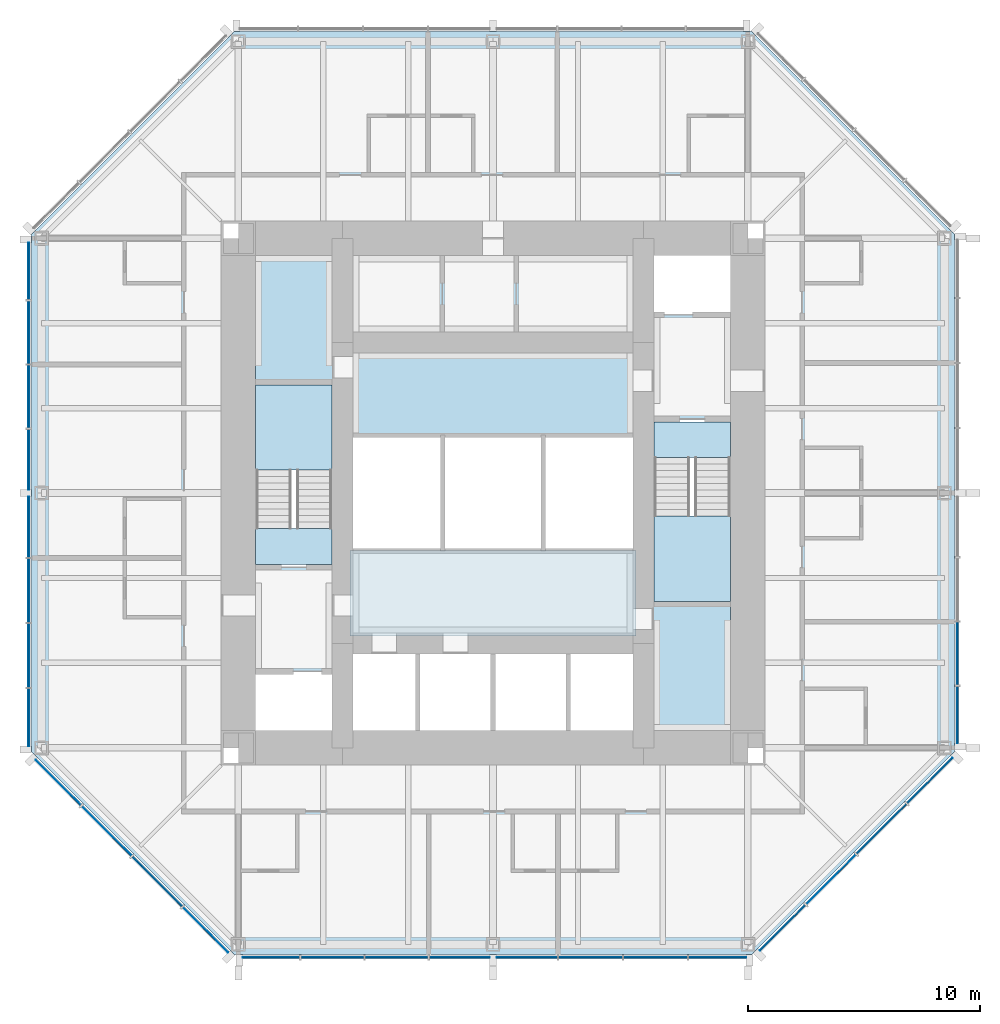
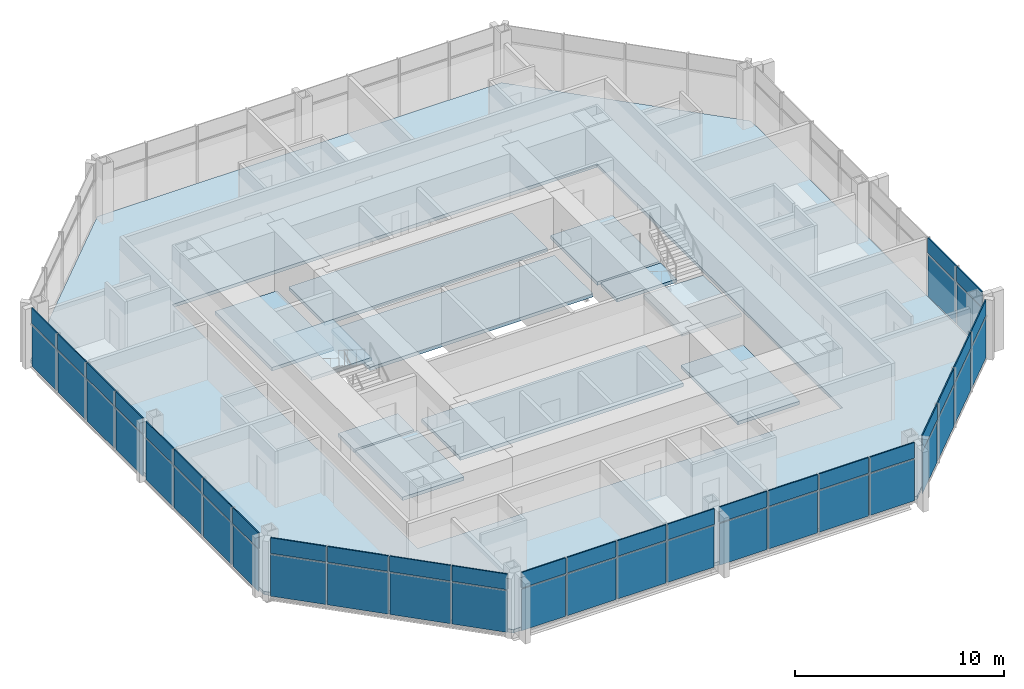
# One storey, part 6 of 11: 52 plates, 12 slabs, 7 elements without a shape of their own.
"""IFC4 building model written with IfcOpenShell, lengths in metres."""

from ifc_helpers import new_model, si_unit, direction, frame, origin, origin_2d, place, context, subcontext, project, spatial, polyline, rectangle, outline, extrude, material, layer, layer_set, type_object, element, aggregate, save


model = new_model("IFC4")

# Units and contexts
model_context = context("Model", 3, precision=1e-05, world=origin(), true_north=direction((0.0, 1.0)))
body_context = subcontext(model_context, "Body", "Model", "MODEL_VIEW")
ifc_project = project(units=[si_unit("LENGTHUNIT", "METRE"), si_unit("AREAUNIT", "SQUARE_METRE"), si_unit("VOLUMEUNIT", "CUBIC_METRE"), si_unit("PLANEANGLEUNIT", "RADIAN"), si_unit("MASSUNIT", "GRAM", prefix="KILO")], contexts=[model_context])

# Site, building, storey
site_placement = place(None, origin())
site = spatial("IfcSite", under=ifc_project, at=site_placement, CompositionType="ELEMENT")
building_placement = place(site_placement, origin())
building = spatial("IfcBuilding", under=site, at=building_placement, Name="Trevanion Tower", CompositionType="ELEMENT")
storey_placement = place(building_placement, frame((0.0, 0.0, 215.199951171875)))
storey = spatial("IfcBuildingStorey", under=building, at=storey_placement, Name="L51", CompositionType="ELEMENT", Elevation=215.199951171875)

# Curtain wall, plates
ifc_material_1 = material(Name="Aluminium and glass", Category="aluminium")
curtain_wall_type = type_object("IfcCurtainWallType", Name="CW3 curtain wall", PredefinedType="USERDEFINED", material=ifc_material_1)
curtain_wall_1_placement = place(storey_placement, origin())
curtain_wall_1 = element("IfcCurtainWall", 1, at=curtain_wall_1_placement, inside=storey, type_object=curtain_wall_type, Name="CW3 L51 0", ObjectType="UNITISED CURTAIN WALL", PredefinedType="USERDEFINED")
ifc_material_2 = material(Name="Aluminium spandrel panel", Category="aluminium")
ifc_layer_1 = layer(ifc_material_2, 0.06005859375)
ifc_layer_set_1 = layer_set([ifc_layer_1], Name="CW3 spandrel panel")
plate_type_1 = type_object("IfcPlateType", Name="CW3 spandrel panel", PredefinedType="CURTAIN_PANEL", material=ifc_layer_set_1)
plate_1_placement = place(storey_placement, frame((20.050048828125, -9.579345703125, 2.3974609375), z_axis=(0.0, 0.0, 1.0), x_axis=(0.0, 1.0, 0.0)))
plate_1 = element("IfcPlate", 2, at=plate_1_placement, type_object=plate_type_1, Name="CW3 panel 1.2", PredefinedType="CURTAIN_PANEL", context=body_context, shape_type="SweptSolid", body=[
    extrude(rectangle(XDim=2.43701171875, YDim=0.06005859375, at=origin_2d()), origin(), (0.0, 0.0, 1.0), 0.91259765625),
])
plate_2_placement = place(storey_placement, frame((20.050048828125, -6.93603515625, 2.3974609375), z_axis=(0.0, 0.0, 1.0), x_axis=(0.0, 1.0, 0.0)))
plate_2 = element("IfcPlate", 3, at=plate_2_placement, type_object=plate_type_1, Name="CW3 panel 2.2", PredefinedType="CURTAIN_PANEL", context=body_context, shape_type="SweptSolid", body=[
    extrude(rectangle(XDim=2.699462890625, YDim=0.06005859375, at=origin_2d()), origin(), (0.0, 0.0, 1.0), 0.91259765625),
])

curtain_wall_2_placement = place(storey_placement, origin())
curtain_wall_2 = element("IfcCurtainWall", 4, at=curtain_wall_2_placement, inside=storey, type_object=curtain_wall_type, Name="CW3 L51 4", ObjectType="UNITISED CURTAIN WALL", PredefinedType="USERDEFINED")
plate_3_placement = place(storey_placement, frame((-20.050048828125, 9.579345703125, 2.3974609375), z_axis=(0.0, 0.0, 1.0), x_axis=(0.0, -1.0, 0.0)))
plate_3 = element("IfcPlate", 5, at=plate_3_placement, type_object=plate_type_1, Name="CW3 panel 1.2", PredefinedType="CURTAIN_PANEL", context=body_context, shape_type="SweptSolid", body=[
    extrude(rectangle(XDim=2.43701171875, YDim=0.06005859375, at=origin_2d()), origin(), (0.0, 0.0, 1.0), 0.91259765625),
])
plate_4_placement = place(storey_placement, frame((-20.050048828125, 6.93603515625, 2.3974609375), z_axis=(0.0, 0.0, 1.0), x_axis=(0.0, -1.0, 0.0)))
plate_4 = element("IfcPlate", 6, at=plate_4_placement, type_object=plate_type_1, Name="CW3 panel 2.2", PredefinedType="CURTAIN_PANEL", context=body_context, shape_type="SweptSolid", body=[
    extrude(rectangle(XDim=2.699462890625, YDim=0.06005859375, at=origin_2d()), origin(), (0.0, 0.0, 1.0), 0.91259765625),
])
plate_5_placement = place(storey_placement, frame((-20.050048828125, 4.16162109375, 2.3974609375), z_axis=(0.0, 0.0, 1.0), x_axis=(0.0, -1.0, 0.0)))
plate_5 = element("IfcPlate", 7, at=plate_5_placement, type_object=plate_type_1, Name="CW3 panel 3.2", PredefinedType="CURTAIN_PANEL", context=body_context, shape_type="SweptSolid", body=[
    extrude(rectangle(XDim=2.699462890625, YDim=0.06005859375, at=origin_2d()), origin(), (0.0, 0.0, 1.0), 0.91259765625),
])
plate_6_placement = place(storey_placement, frame((-20.050048828125, 1.443603515625, 2.3974609375), z_axis=(0.0, 0.0, 1.0), x_axis=(0.0, -1.0, 0.0)))
plate_6 = element("IfcPlate", 8, at=plate_6_placement, type_object=plate_type_1, Name="CW3 panel 4.2", PredefinedType="CURTAIN_PANEL", context=body_context, shape_type="SweptSolid", body=[
    extrude(rectangle(XDim=2.5869140625, YDim=0.06005859375, at=origin_2d()), origin(), (0.0, 0.0, 1.0), 0.91259765625),
])
plate_7_placement = place(storey_placement, frame((-20.050048828125, -1.459716796875, 2.3974609375), z_axis=(0.0, 0.0, 1.0), x_axis=(0.0, -1.0, 0.0)))
plate_7 = element("IfcPlate", 9, at=plate_7_placement, type_object=plate_type_1, Name="CW3 panel 5.2", PredefinedType="CURTAIN_PANEL", context=body_context, shape_type="SweptSolid", body=[
    extrude(rectangle(XDim=2.619384765625, YDim=0.06005859375, at=origin_2d()), origin(), (0.0, 0.0, 1.0), 0.91259765625),
])
plate_8_placement = place(storey_placement, frame((-20.050048828125, -4.21044921875, 2.3974609375), z_axis=(0.0, 0.0, 1.0), x_axis=(0.0, -1.0, 0.0)))
plate_8 = element("IfcPlate", 10, at=plate_8_placement, type_object=plate_type_1, Name="CW3 panel 6.2", PredefinedType="CURTAIN_PANEL", context=body_context, shape_type="SweptSolid", body=[
    extrude(rectangle(XDim=2.73193359375, YDim=0.06005859375, at=origin_2d()), origin(), (0.0, 0.0, 1.0), 0.91259765625),
])
plate_9_placement = place(storey_placement, frame((-20.050048828125, -7.017333984375, 2.3974609375), z_axis=(0.0, 0.0, 1.0), x_axis=(0.0, -1.0, 0.0)))
plate_9 = element("IfcPlate", 11, at=plate_9_placement, type_object=plate_type_1, Name="CW3 panel 7.2", PredefinedType="CURTAIN_PANEL", context=body_context, shape_type="SweptSolid", body=[
    extrude(rectangle(XDim=2.73193359375, YDim=0.06005859375, at=origin_2d()), origin(), (0.0, 0.0, 1.0), 0.91259765625),
])
plate_10_placement = place(storey_placement, frame((-20.050048828125, -9.693115234375, 2.3974609375), z_axis=(0.0, 0.0, 1.0), x_axis=(0.0, -1.0, 0.0)))
plate_10 = element("IfcPlate", 12, at=plate_10_placement, type_object=plate_type_1, Name="CW3 panel 8.2", PredefinedType="CURTAIN_PANEL", context=body_context, shape_type="SweptSolid", body=[
    extrude(rectangle(XDim=2.469482421875, YDim=0.06005859375, at=origin_2d()), origin(), (0.0, 0.0, 1.0), 0.91259765625),
])

curtain_wall_3_placement = place(storey_placement, origin())
curtain_wall_3 = element("IfcCurtainWall", 13, at=curtain_wall_3_placement, inside=storey, type_object=curtain_wall_type, Name="CW3 L51 5", ObjectType="UNITISED CURTAIN WALL", PredefinedType="USERDEFINED")
plate_11_placement = place(storey_placement, frame((-18.77392578125, -12.50390625, 2.3974609375), z_axis=(0.0, 0.0, 1.0), x_axis=(0.707106781187, -0.707106781187, 0.0)))
plate_11 = element("IfcPlate", 14, at=plate_11_placement, type_object=plate_type_1, Name="CW3 panel 1.2", PredefinedType="CURTAIN_PANEL", context=body_context, shape_type="SweptSolid", body=[
    extrude(rectangle(XDim=2.7490234375, YDim=0.06005859375, at=origin_2d()), origin(), (0.0, 0.0, 1.0), 0.91259765625),
])
plate_12_placement = place(storey_placement, frame((-16.68408203125, -14.593505859375, 2.3974609375), z_axis=(0.0, 0.0, 1.0), x_axis=(0.707106781187, -0.707106781187, 0.0)))
plate_12 = element("IfcPlate", 15, at=plate_12_placement, type_object=plate_type_1, Name="CW3 panel 2.2", PredefinedType="CURTAIN_PANEL", context=body_context, shape_type="SweptSolid", body=[
    extrude(rectangle(XDim=3.01171875, YDim=0.06005859375, at=origin_2d()), origin(), (0.0, 0.0, 1.0), 0.91259765625),
])
plate_13_placement = place(storey_placement, frame((-14.501708984375, -16.776123046875, 2.3974609375), z_axis=(0.0, 0.0, 1.0), x_axis=(0.707106781187, -0.707106781187, 0.0)))
plate_13 = element("IfcPlate", 16, at=plate_13_placement, type_object=plate_type_1, Name="CW3 panel 3.2", PredefinedType="CURTAIN_PANEL", context=body_context, shape_type="SweptSolid", body=[
    extrude(rectangle(XDim=3.01171875, YDim=0.06005859375, at=origin_2d()), origin(), (0.0, 0.0, 1.0), 0.91259765625),
])
plate_14_placement = place(storey_placement, frame((-12.411865234375, -18.865966796875, 2.3974609375), z_axis=(0.0, 0.0, 1.0), x_axis=(0.707106781187, -0.707106781187, 0.0)))
plate_14 = element("IfcPlate", 17, at=plate_14_placement, type_object=plate_type_1, Name="CW3 panel 4.2", PredefinedType="CURTAIN_PANEL", context=body_context, shape_type="SweptSolid", body=[
    extrude(rectangle(XDim=2.7490234375, YDim=0.06005859375, at=origin_2d()), origin(), (0.0, 0.0, 1.0), 0.91259765625),
])

curtain_wall_4_placement = place(storey_placement, origin())
curtain_wall_4 = element("IfcCurtainWall", 18, at=curtain_wall_4_placement, inside=storey, type_object=curtain_wall_type, Name="CW3 L51 6", ObjectType="UNITISED CURTAIN WALL", PredefinedType="USERDEFINED")
plate_15_placement = place(storey_placement, frame((-9.579345703125, -20.050048828125, 2.3974609375), z_axis=(0.0, 0.0, 1.0), x_axis=(1.0, 0.0, 0.0)))
plate_15 = element("IfcPlate", 19, at=plate_15_placement, type_object=plate_type_1, Name="CW3 panel 1.2", PredefinedType="CURTAIN_PANEL", context=body_context, shape_type="SweptSolid", body=[
    extrude(rectangle(XDim=2.43701171875, YDim=0.06005859375, at=origin_2d()), origin(), (0.0, 0.0, 1.0), 0.91259765625),
])
plate_16_placement = place(storey_placement, frame((-6.93603515625, -20.050048828125, 2.3974609375), z_axis=(0.0, 0.0, 1.0), x_axis=(1.0, 0.0, 0.0)))
plate_16 = element("IfcPlate", 20, at=plate_16_placement, type_object=plate_type_1, Name="CW3 panel 2.2", PredefinedType="CURTAIN_PANEL", context=body_context, shape_type="SweptSolid", body=[
    extrude(rectangle(XDim=2.699462890625, YDim=0.06005859375, at=origin_2d()), origin(), (0.0, 0.0, 1.0), 0.91259765625),
])
plate_17_placement = place(storey_placement, frame((-4.16162109375, -20.050048828125, 2.3974609375), z_axis=(0.0, 0.0, 1.0), x_axis=(1.0, 0.0, 0.0)))
plate_17 = element("IfcPlate", 21, at=plate_17_placement, type_object=plate_type_1, Name="CW3 panel 3.2", PredefinedType="CURTAIN_PANEL", context=body_context, shape_type="SweptSolid", body=[
    extrude(rectangle(XDim=2.699462890625, YDim=0.06005859375, at=origin_2d()), origin(), (0.0, 0.0, 1.0), 0.91259765625),
])
plate_18_placement = place(storey_placement, frame((-1.443603515625, -20.050048828125, 2.3974609375), z_axis=(0.0, 0.0, 1.0), x_axis=(1.0, 0.0, 0.0)))
plate_18 = element("IfcPlate", 22, at=plate_18_placement, type_object=plate_type_1, Name="CW3 panel 4.2", PredefinedType="CURTAIN_PANEL", context=body_context, shape_type="SweptSolid", body=[
    extrude(rectangle(XDim=2.5869140625, YDim=0.06005859375, at=origin_2d()), origin(), (0.0, 0.0, 1.0), 0.91259765625),
])
plate_19_placement = place(storey_placement, frame((1.459716796875, -20.050048828125, 2.3974609375), z_axis=(0.0, 0.0, 1.0), x_axis=(1.0, 0.0, 0.0)))
plate_19 = element("IfcPlate", 23, at=plate_19_placement, type_object=plate_type_1, Name="CW3 panel 5.2", PredefinedType="CURTAIN_PANEL", context=body_context, shape_type="SweptSolid", body=[
    extrude(rectangle(XDim=2.619384765625, YDim=0.06005859375, at=origin_2d()), origin(), (0.0, 0.0, 1.0), 0.91259765625),
])
plate_20_placement = place(storey_placement, frame((4.21044921875, -20.050048828125, 2.3974609375), z_axis=(0.0, 0.0, 1.0), x_axis=(1.0, 0.0, 0.0)))
plate_20 = element("IfcPlate", 24, at=plate_20_placement, type_object=plate_type_1, Name="CW3 panel 6.2", PredefinedType="CURTAIN_PANEL", context=body_context, shape_type="SweptSolid", body=[
    extrude(rectangle(XDim=2.73193359375, YDim=0.06005859375, at=origin_2d()), origin(), (0.0, 0.0, 1.0), 0.91259765625),
])
plate_21_placement = place(storey_placement, frame((7.017333984375, -20.050048828125, 2.3974609375), z_axis=(0.0, 0.0, 1.0), x_axis=(1.0, 0.0, 0.0)))
plate_21 = element("IfcPlate", 25, at=plate_21_placement, type_object=plate_type_1, Name="CW3 panel 7.2", PredefinedType="CURTAIN_PANEL", context=body_context, shape_type="SweptSolid", body=[
    extrude(rectangle(XDim=2.73193359375, YDim=0.06005859375, at=origin_2d()), origin(), (0.0, 0.0, 1.0), 0.91259765625),
])
plate_22_placement = place(storey_placement, frame((9.693115234375, -20.050048828125, 2.3974609375), z_axis=(0.0, 0.0, 1.0), x_axis=(1.0, 0.0, 0.0)))
plate_22 = element("IfcPlate", 26, at=plate_22_placement, type_object=plate_type_1, Name="CW3 panel 8.2", PredefinedType="CURTAIN_PANEL", context=body_context, shape_type="SweptSolid", body=[
    extrude(rectangle(XDim=2.469482421875, YDim=0.06005859375, at=origin_2d()), origin(), (0.0, 0.0, 1.0), 0.91259765625),
])

curtain_wall_5_placement = place(storey_placement, origin())
curtain_wall_5 = element("IfcCurtainWall", 27, at=curtain_wall_5_placement, inside=storey, type_object=curtain_wall_type, Name="CW3 L51 7", ObjectType="UNITISED CURTAIN WALL", PredefinedType="USERDEFINED")
plate_23_placement = place(storey_placement, frame((12.50390625, -18.77392578125, 2.3974609375), z_axis=(0.0, 0.0, 1.0), x_axis=(0.707106781187, 0.707106781187, 0.0)))
plate_23 = element("IfcPlate", 28, at=plate_23_placement, type_object=plate_type_1, Name="CW3 panel 1.2", PredefinedType="CURTAIN_PANEL", context=body_context, shape_type="SweptSolid", body=[
    extrude(rectangle(XDim=2.7490234375, YDim=0.06005859375, at=origin_2d()), origin(), (0.0, 0.0, 1.0), 0.91259765625),
])
plate_24_placement = place(storey_placement, frame((14.593505859375, -16.68408203125, 2.3974609375), z_axis=(0.0, 0.0, 1.0), x_axis=(0.707106781187, 0.707106781187, 0.0)))
plate_24 = element("IfcPlate", 29, at=plate_24_placement, type_object=plate_type_1, Name="CW3 panel 2.2", PredefinedType="CURTAIN_PANEL", context=body_context, shape_type="SweptSolid", body=[
    extrude(rectangle(XDim=3.01171875, YDim=0.06005859375, at=origin_2d()), origin(), (0.0, 0.0, 1.0), 0.91259765625),
])
plate_25_placement = place(storey_placement, frame((16.776123046875, -14.501708984375, 2.3974609375), z_axis=(0.0, 0.0, 1.0), x_axis=(0.707106781187, 0.707106781187, 0.0)))
plate_25 = element("IfcPlate", 30, at=plate_25_placement, type_object=plate_type_1, Name="CW3 panel 3.2", PredefinedType="CURTAIN_PANEL", context=body_context, shape_type="SweptSolid", body=[
    extrude(rectangle(XDim=3.01171875, YDim=0.06005859375, at=origin_2d()), origin(), (0.0, 0.0, 1.0), 0.91259765625),
])
plate_26_placement = place(storey_placement, frame((18.865966796875, -12.411865234375, 2.3974609375), z_axis=(0.0, 0.0, 1.0), x_axis=(0.707106781187, 0.707106781187, 0.0)))
plate_26 = element("IfcPlate", 31, at=plate_26_placement, type_object=plate_type_1, Name="CW3 panel 4.2", PredefinedType="CURTAIN_PANEL", context=body_context, shape_type="SweptSolid", body=[
    extrude(rectangle(XDim=2.7490234375, YDim=0.06005859375, at=origin_2d()), origin(), (0.0, 0.0, 1.0), 0.91259765625),
])

# Plate
ifc_material_3 = material(Name="Insulating glass unit", Category="glass")
ifc_layer_2 = layer(ifc_material_3, 0.028076171875)
ifc_layer_set_2 = layer_set([ifc_layer_2], Name="CW3 vision panel")
plate_type_2 = type_object("IfcPlateType", Name="CW3 vision panel", PredefinedType="CURTAIN_PANEL", material=ifc_layer_set_2)
plate_27_placement = place(storey_placement, frame((20.050048828125, -9.579345703125, -0.114990234375), z_axis=(0.0, 0.0, 1.0), x_axis=(0.0, 1.0, 0.0)))
plate_27 = element("IfcPlate", 32, at=plate_27_placement, type_object=plate_type_2, Name="CW3 panel 1.1", PredefinedType="CURTAIN_PANEL", context=body_context, shape_type="SweptSolid", body=[
    extrude(rectangle(XDim=2.43701171875, YDim=0.028076171875, at=origin_2d()), origin(), (0.0, 0.0, 1.0), 2.4375),
])

plate_28_placement = place(storey_placement, frame((20.050048828125, -6.93603515625, -0.114990234375), z_axis=(0.0, 0.0, 1.0), x_axis=(0.0, 1.0, 0.0)))
plate_28 = element("IfcPlate", 33, at=plate_28_placement, type_object=plate_type_2, Name="CW3 panel 2.1", PredefinedType="CURTAIN_PANEL", context=body_context, shape_type="SweptSolid", body=[
    extrude(rectangle(XDim=2.699462890625, YDim=0.028076171875, at=origin_2d()), origin(), (0.0, 0.0, 1.0), 2.4375),
])

aggregate(curtain_wall_1, [plate_27, plate_1, plate_28, plate_2])

plate_29_placement = place(storey_placement, frame((-20.050048828125, 9.579345703125, -0.114990234375), z_axis=(0.0, 0.0, 1.0), x_axis=(0.0, -1.0, 0.0)))
plate_29 = element("IfcPlate", 34, at=plate_29_placement, type_object=plate_type_2, Name="CW3 panel 1.1", PredefinedType="CURTAIN_PANEL", context=body_context, shape_type="SweptSolid", body=[
    extrude(rectangle(XDim=2.43701171875, YDim=0.028076171875, at=origin_2d()), origin(), (0.0, 0.0, 1.0), 2.4375),
])

plate_30_placement = place(storey_placement, frame((-20.050048828125, 6.93603515625, -0.114990234375), z_axis=(0.0, 0.0, 1.0), x_axis=(0.0, -1.0, 0.0)))
plate_30 = element("IfcPlate", 35, at=plate_30_placement, type_object=plate_type_2, Name="CW3 panel 2.1", PredefinedType="CURTAIN_PANEL", context=body_context, shape_type="SweptSolid", body=[
    extrude(rectangle(XDim=2.699462890625, YDim=0.028076171875, at=origin_2d()), origin(), (0.0, 0.0, 1.0), 2.4375),
])

plate_31_placement = place(storey_placement, frame((-20.050048828125, 4.16162109375, -0.114990234375), z_axis=(0.0, 0.0, 1.0), x_axis=(0.0, -1.0, 0.0)))
plate_31 = element("IfcPlate", 36, at=plate_31_placement, type_object=plate_type_2, Name="CW3 panel 3.1", PredefinedType="CURTAIN_PANEL", context=body_context, shape_type="SweptSolid", body=[
    extrude(rectangle(XDim=2.699462890625, YDim=0.028076171875, at=origin_2d()), origin(), (0.0, 0.0, 1.0), 2.4375),
])

plate_32_placement = place(storey_placement, frame((-20.050048828125, 1.443603515625, -0.114990234375), z_axis=(0.0, 0.0, 1.0), x_axis=(0.0, -1.0, 0.0)))
plate_32 = element("IfcPlate", 37, at=plate_32_placement, type_object=plate_type_2, Name="CW3 panel 4.1", PredefinedType="CURTAIN_PANEL", context=body_context, shape_type="SweptSolid", body=[
    extrude(rectangle(XDim=2.5869140625, YDim=0.028076171875, at=origin_2d()), origin(), (0.0, 0.0, 1.0), 2.4375),
])

plate_33_placement = place(storey_placement, frame((-20.050048828125, -1.459716796875, -0.114990234375), z_axis=(0.0, 0.0, 1.0), x_axis=(0.0, -1.0, 0.0)))
plate_33 = element("IfcPlate", 38, at=plate_33_placement, type_object=plate_type_2, Name="CW3 panel 5.1", PredefinedType="CURTAIN_PANEL", context=body_context, shape_type="SweptSolid", body=[
    extrude(rectangle(XDim=2.619384765625, YDim=0.028076171875, at=origin_2d()), origin(), (0.0, 0.0, 1.0), 2.4375),
])

plate_34_placement = place(storey_placement, frame((-20.050048828125, -4.21044921875, -0.114990234375), z_axis=(0.0, 0.0, 1.0), x_axis=(0.0, -1.0, 0.0)))
plate_34 = element("IfcPlate", 39, at=plate_34_placement, type_object=plate_type_2, Name="CW3 panel 6.1", PredefinedType="CURTAIN_PANEL", context=body_context, shape_type="SweptSolid", body=[
    extrude(rectangle(XDim=2.73193359375, YDim=0.028076171875, at=origin_2d()), origin(), (0.0, 0.0, 1.0), 2.4375),
])

plate_35_placement = place(storey_placement, frame((-20.050048828125, -7.017333984375, -0.114990234375), z_axis=(0.0, 0.0, 1.0), x_axis=(0.0, -1.0, 0.0)))
plate_35 = element("IfcPlate", 40, at=plate_35_placement, type_object=plate_type_2, Name="CW3 panel 7.1", PredefinedType="CURTAIN_PANEL", context=body_context, shape_type="SweptSolid", body=[
    extrude(rectangle(XDim=2.73193359375, YDim=0.028076171875, at=origin_2d()), origin(), (0.0, 0.0, 1.0), 2.4375),
])

plate_36_placement = place(storey_placement, frame((-20.050048828125, -9.693115234375, -0.114990234375), z_axis=(0.0, 0.0, 1.0), x_axis=(0.0, -1.0, 0.0)))
plate_36 = element("IfcPlate", 41, at=plate_36_placement, type_object=plate_type_2, Name="CW3 panel 8.1", PredefinedType="CURTAIN_PANEL", context=body_context, shape_type="SweptSolid", body=[
    extrude(rectangle(XDim=2.469482421875, YDim=0.028076171875, at=origin_2d()), origin(), (0.0, 0.0, 1.0), 2.4375),
])

aggregate(curtain_wall_2, [plate_29, plate_3, plate_30, plate_4, plate_31, plate_5, plate_32, plate_6, plate_33, plate_7, plate_34, plate_8, plate_35, plate_9, plate_36, plate_10])

plate_37_placement = place(storey_placement, frame((-18.77392578125, -12.50390625, -0.114990234375), z_axis=(0.0, 0.0, 1.0), x_axis=(0.707106781187, -0.707106781187, 0.0)))
plate_37 = element("IfcPlate", 42, at=plate_37_placement, type_object=plate_type_2, Name="CW3 panel 1.1", PredefinedType="CURTAIN_PANEL", context=body_context, shape_type="SweptSolid", body=[
    extrude(rectangle(XDim=2.7490234375, YDim=0.028076171875, at=origin_2d()), origin(), (0.0, 0.0, 1.0), 2.4375),
])

plate_38_placement = place(storey_placement, frame((-16.68408203125, -14.593505859375, -0.114990234375), z_axis=(0.0, 0.0, 1.0), x_axis=(0.707106781187, -0.707106781187, 0.0)))
plate_38 = element("IfcPlate", 43, at=plate_38_placement, type_object=plate_type_2, Name="CW3 panel 2.1", PredefinedType="CURTAIN_PANEL", context=body_context, shape_type="SweptSolid", body=[
    extrude(rectangle(XDim=3.01171875, YDim=0.028076171875, at=origin_2d()), origin(), (0.0, 0.0, 1.0), 2.4375),
])

plate_39_placement = place(storey_placement, frame((-14.501708984375, -16.776123046875, -0.114990234375), z_axis=(0.0, 0.0, 1.0), x_axis=(0.707106781187, -0.707106781187, 0.0)))
plate_39 = element("IfcPlate", 44, at=plate_39_placement, type_object=plate_type_2, Name="CW3 panel 3.1", PredefinedType="CURTAIN_PANEL", context=body_context, shape_type="SweptSolid", body=[
    extrude(rectangle(XDim=3.01171875, YDim=0.028076171875, at=origin_2d()), origin(), (0.0, 0.0, 1.0), 2.4375),
])

plate_40_placement = place(storey_placement, frame((-12.411865234375, -18.865966796875, -0.114990234375), z_axis=(0.0, 0.0, 1.0), x_axis=(0.707106781187, -0.707106781187, 0.0)))
plate_40 = element("IfcPlate", 45, at=plate_40_placement, type_object=plate_type_2, Name="CW3 panel 4.1", PredefinedType="CURTAIN_PANEL", context=body_context, shape_type="SweptSolid", body=[
    extrude(rectangle(XDim=2.7490234375, YDim=0.028076171875, at=origin_2d()), origin(), (0.0, 0.0, 1.0), 2.4375),
])

aggregate(curtain_wall_3, [plate_37, plate_11, plate_38, plate_12, plate_39, plate_13, plate_40, plate_14])

plate_41_placement = place(storey_placement, frame((-9.579345703125, -20.050048828125, -0.114990234375), z_axis=(0.0, 0.0, 1.0), x_axis=(1.0, 0.0, 0.0)))
plate_41 = element("IfcPlate", 46, at=plate_41_placement, type_object=plate_type_2, Name="CW3 panel 1.1", PredefinedType="CURTAIN_PANEL", context=body_context, shape_type="SweptSolid", body=[
    extrude(rectangle(XDim=2.43701171875, YDim=0.028076171875, at=origin_2d()), origin(), (0.0, 0.0, 1.0), 2.4375),
])

plate_42_placement = place(storey_placement, frame((-6.93603515625, -20.050048828125, -0.114990234375), z_axis=(0.0, 0.0, 1.0), x_axis=(1.0, 0.0, 0.0)))
plate_42 = element("IfcPlate", 47, at=plate_42_placement, type_object=plate_type_2, Name="CW3 panel 2.1", PredefinedType="CURTAIN_PANEL", context=body_context, shape_type="SweptSolid", body=[
    extrude(rectangle(XDim=2.699462890625, YDim=0.028076171875, at=origin_2d()), origin(), (0.0, 0.0, 1.0), 2.4375),
])

plate_43_placement = place(storey_placement, frame((-4.16162109375, -20.050048828125, -0.114990234375), z_axis=(0.0, 0.0, 1.0), x_axis=(1.0, 0.0, 0.0)))
plate_43 = element("IfcPlate", 48, at=plate_43_placement, type_object=plate_type_2, Name="CW3 panel 3.1", PredefinedType="CURTAIN_PANEL", context=body_context, shape_type="SweptSolid", body=[
    extrude(rectangle(XDim=2.699462890625, YDim=0.028076171875, at=origin_2d()), origin(), (0.0, 0.0, 1.0), 2.4375),
])

plate_44_placement = place(storey_placement, frame((-1.443603515625, -20.050048828125, -0.114990234375), z_axis=(0.0, 0.0, 1.0), x_axis=(1.0, 0.0, 0.0)))
plate_44 = element("IfcPlate", 49, at=plate_44_placement, type_object=plate_type_2, Name="CW3 panel 4.1", PredefinedType="CURTAIN_PANEL", context=body_context, shape_type="SweptSolid", body=[
    extrude(rectangle(XDim=2.5869140625, YDim=0.028076171875, at=origin_2d()), origin(), (0.0, 0.0, 1.0), 2.4375),
])

plate_45_placement = place(storey_placement, frame((1.459716796875, -20.050048828125, -0.114990234375), z_axis=(0.0, 0.0, 1.0), x_axis=(1.0, 0.0, 0.0)))
plate_45 = element("IfcPlate", 50, at=plate_45_placement, type_object=plate_type_2, Name="CW3 panel 5.1", PredefinedType="CURTAIN_PANEL", context=body_context, shape_type="SweptSolid", body=[
    extrude(rectangle(XDim=2.619384765625, YDim=0.028076171875, at=origin_2d()), origin(), (0.0, 0.0, 1.0), 2.4375),
])

plate_46_placement = place(storey_placement, frame((4.21044921875, -20.050048828125, -0.114990234375), z_axis=(0.0, 0.0, 1.0), x_axis=(1.0, 0.0, 0.0)))
plate_46 = element("IfcPlate", 51, at=plate_46_placement, type_object=plate_type_2, Name="CW3 panel 6.1", PredefinedType="CURTAIN_PANEL", context=body_context, shape_type="SweptSolid", body=[
    extrude(rectangle(XDim=2.73193359375, YDim=0.028076171875, at=origin_2d()), origin(), (0.0, 0.0, 1.0), 2.4375),
])

plate_47_placement = place(storey_placement, frame((7.017333984375, -20.050048828125, -0.114990234375), z_axis=(0.0, 0.0, 1.0), x_axis=(1.0, 0.0, 0.0)))
plate_47 = element("IfcPlate", 52, at=plate_47_placement, type_object=plate_type_2, Name="CW3 panel 7.1", PredefinedType="CURTAIN_PANEL", context=body_context, shape_type="SweptSolid", body=[
    extrude(rectangle(XDim=2.73193359375, YDim=0.028076171875, at=origin_2d()), origin(), (0.0, 0.0, 1.0), 2.4375),
])

plate_48_placement = place(storey_placement, frame((9.693115234375, -20.050048828125, -0.114990234375), z_axis=(0.0, 0.0, 1.0), x_axis=(1.0, 0.0, 0.0)))
plate_48 = element("IfcPlate", 53, at=plate_48_placement, type_object=plate_type_2, Name="CW3 panel 8.1", PredefinedType="CURTAIN_PANEL", context=body_context, shape_type="SweptSolid", body=[
    extrude(rectangle(XDim=2.469482421875, YDim=0.028076171875, at=origin_2d()), origin(), (0.0, 0.0, 1.0), 2.4375),
])

aggregate(curtain_wall_4, [plate_41, plate_15, plate_42, plate_16, plate_43, plate_17, plate_44, plate_18, plate_45, plate_19, plate_46, plate_20, plate_47, plate_21, plate_48, plate_22])

plate_49_placement = place(storey_placement, frame((12.50390625, -18.77392578125, -0.114990234375), z_axis=(0.0, 0.0, 1.0), x_axis=(0.707106781187, 0.707106781187, 0.0)))
plate_49 = element("IfcPlate", 54, at=plate_49_placement, type_object=plate_type_2, Name="CW3 panel 1.1", PredefinedType="CURTAIN_PANEL", context=body_context, shape_type="SweptSolid", body=[
    extrude(rectangle(XDim=2.7490234375, YDim=0.028076171875, at=origin_2d()), origin(), (0.0, 0.0, 1.0), 2.4375),
])

plate_50_placement = place(storey_placement, frame((14.593505859375, -16.68408203125, -0.114990234375), z_axis=(0.0, 0.0, 1.0), x_axis=(0.707106781187, 0.707106781187, 0.0)))
plate_50 = element("IfcPlate", 55, at=plate_50_placement, type_object=plate_type_2, Name="CW3 panel 2.1", PredefinedType="CURTAIN_PANEL", context=body_context, shape_type="SweptSolid", body=[
    extrude(rectangle(XDim=3.01171875, YDim=0.028076171875, at=origin_2d()), origin(), (0.0, 0.0, 1.0), 2.4375),
])

plate_51_placement = place(storey_placement, frame((16.776123046875, -14.501708984375, -0.114990234375), z_axis=(0.0, 0.0, 1.0), x_axis=(0.707106781187, 0.707106781187, 0.0)))
plate_51 = element("IfcPlate", 56, at=plate_51_placement, type_object=plate_type_2, Name="CW3 panel 3.1", PredefinedType="CURTAIN_PANEL", context=body_context, shape_type="SweptSolid", body=[
    extrude(rectangle(XDim=3.01171875, YDim=0.028076171875, at=origin_2d()), origin(), (0.0, 0.0, 1.0), 2.4375),
])

plate_52_placement = place(storey_placement, frame((18.865966796875, -12.411865234375, -0.114990234375), z_axis=(0.0, 0.0, 1.0), x_axis=(0.707106781187, 0.707106781187, 0.0)))
plate_52 = element("IfcPlate", 57, at=plate_52_placement, type_object=plate_type_2, Name="CW3 panel 4.1", PredefinedType="CURTAIN_PANEL", context=body_context, shape_type="SweptSolid", body=[
    extrude(rectangle(XDim=2.7490234375, YDim=0.028076171875, at=origin_2d()), origin(), (0.0, 0.0, 1.0), 2.4375),
])

aggregate(curtain_wall_5, [plate_49, plate_23, plate_50, plate_24, plate_51, plate_25, plate_52, plate_26])

# Slabs
ifc_material_4 = material(Name="Concrete 5,000 psi on composite metal deck", Category="concrete")
ifc_layer_3 = layer(ifc_material_4, 0.18994140625)
ifc_layer_set_3 = layer_set([ifc_layer_3], Name="SL1 composite floor 190")
slab_type_1 = type_object("IfcSlabType", Name="SL1 composite floor 190", PredefinedType="FLOOR", material=ifc_layer_set_3)
slab_1_placement = place(storey_placement, frame((0.0, 0.0, -0.18994140625)))
element("IfcSlab", 58, at=slab_1_placement, inside=storey, type_object=slab_type_1, Name="SL1 L51 floor", PredefinedType="FLOOR", context=body_context, shape_type="SweptSolid", body=[
    extrude(outline(polyline([(19.919921875, -11.174072265625), (19.919921875, 11.174072265625), (11.174072265625, 19.919921875), (-11.174072265625, 19.919921875), (-19.919921875, 11.174072265625), (-19.919921875, -11.174072265625), (-11.174072265625, -19.919921875), (11.174072265625, -19.919921875), (19.919921875, -11.174072265625)]), holes=[polyline([(11.75, -11.75), (11.75, 11.75), (-11.75, 11.75), (-11.75, -11.75), (11.75, -11.75)])]), origin(), (0.0, 0.0, 1.0), 0.18994140625),
])
ifc_material_5 = material(Name="Concrete 5,000 psi", Category="concrete")
ifc_layer_4 = layer(ifc_material_5, 0.199951171875)
ifc_layer_set_4 = layer_set([ifc_layer_4], Name="SL2 core floor 200")
slab_type_2 = type_object("IfcSlabType", Name="SL2 core floor 200", PredefinedType="FLOOR", material=ifc_layer_set_4)
slab_2_placement = place(storey_placement, frame((0.0, 0.0, -0.199951171875)))
element("IfcSlab", 59, at=slab_2_placement, inside=storey, type_object=slab_type_2, Name="SL2 L51 core floor 1", PredefinedType="FLOOR", context=body_context, shape_type="SweptSolid", body=[
    extrude(outline(polyline([(10.25, -4.804931640625), (10.25, -10.25), (6.830078125, -10.25), (6.830078125, -4.804931640625), (10.25, -4.804931640625)])), origin(), (0.0, 0.0, 1.0), 0.199951171875),
])
slab_3_placement = place(storey_placement, frame((0.0, 0.0, -0.199951171875)))
element("IfcSlab", 60, at=slab_3_placement, inside=storey, type_object=slab_type_2, Name="SL2 L51 core floor 2", PredefinedType="FLOOR", context=body_context, shape_type="SweptSolid", body=[
    extrude(outline(polyline([(-6.830078125, -3.205078125), (-6.830078125, -7.695068359375), (-10.25, -7.695068359375), (-10.25, -3.205078125), (-6.830078125, -3.205078125)])), origin(), (0.0, 0.0, 1.0), 0.199951171875),
])
slab_4_placement = place(storey_placement, frame((0.0, 0.0, -0.199951171875)))
element("IfcSlab", 61, at=slab_4_placement, inside=storey, type_object=slab_type_2, Name="SL2 L51 core floor 3", PredefinedType="FLOOR", context=body_context, shape_type="SweptSolid", body=[
    extrude(outline(polyline([(6.169921875, -6.169921875), (-6.169921875, -6.169921875), (-6.169921875, -2.47998046875), (6.169921875, -2.47998046875), (6.169921875, -6.169921875)])), origin(), (0.0, 0.0, 1.0), 0.199951171875),
])
slab_5_placement = place(storey_placement, frame((0.0, 0.0, -0.199951171875)))
element("IfcSlab", 62, at=slab_5_placement, inside=storey, type_object=slab_type_2, Name="SL2 L51 core floor 4", PredefinedType="FLOOR", context=body_context, shape_type="SweptSolid", body=[
    extrude(outline(polyline([(6.169921875, 2.47998046875), (-6.169921875, 2.47998046875), (-6.169921875, 6.169921875), (6.169921875, 6.169921875), (6.169921875, 2.47998046875)])), origin(), (0.0, 0.0, 1.0), 0.199951171875),
])
slab_6_placement = place(storey_placement, frame((0.0, 0.0, -0.199951171875)))
element("IfcSlab", 63, at=slab_6_placement, inside=storey, type_object=slab_type_2, Name="SL2 L51 core floor 5", PredefinedType="FLOOR", context=body_context, shape_type="SweptSolid", body=[
    extrude(outline(polyline([(6.830078125, 3.205078125), (6.830078125, 7.695068359375), (10.25, 7.695068359375), (10.25, 3.205078125), (6.830078125, 3.205078125)])), origin(), (0.0, 0.0, 1.0), 0.199951171875),
])
slab_7_placement = place(storey_placement, frame((0.0, 0.0, -0.199951171875)))
element("IfcSlab", 64, at=slab_7_placement, inside=storey, type_object=slab_type_2, Name="SL2 L51 core floor 6", PredefinedType="FLOOR", context=body_context, shape_type="SweptSolid", body=[
    extrude(outline(polyline([(-6.830078125, 4.804931640625), (-10.25, 4.804931640625), (-10.25, 10.25), (-6.830078125, 10.25), (-6.830078125, 4.804931640625)])), origin(), (0.0, 0.0, 1.0), 0.199951171875),
])
slab_8_placement = place(storey_placement, frame((0.0, 0.0, -0.199951171875)))
element("IfcSlab", 65, at=slab_8_placement, inside=storey, type_object=slab_type_2, Name="SL2 L51 core floor 7", PredefinedType="FLOOR", context=body_context, shape_type="SweptSolid", body=[
    extrude(outline(polyline([(6.169921875, 6.830078125), (-6.169921875, 6.830078125), (-6.169921875, 10.25), (6.169921875, 10.25), (6.169921875, 6.830078125)])), origin(), (0.0, 0.0, 1.0), 0.199951171875),
])

# Stair, slabs
ifc_material_6 = material(Name="Concrete 5,000 psi on steel stringers", Category="concrete")
stair_type = type_object("IfcStairType", Name="ST stair", PredefinedType="HALF_TURN_STAIR", material=ifc_material_6)
stair_1_placement = place(storey_placement, origin())
stair_1 = element("IfcStair", 66, at=stair_1_placement, inside=storey, type_object=stair_type, Name="ST1 L51", PredefinedType="HALF_TURN_STAIR")
ifc_material_7 = material(Name="Concrete 5,000 psi in steel pan", Category="concrete")
ifc_layer_5 = layer(ifc_material_7, 0.199951171875)
ifc_layer_set_5 = layer_set([ifc_layer_5], Name="STL stair landing 200")
slab_type_3 = type_object("IfcSlabType", Name="STL stair landing 200", PredefinedType="LANDING", material=ifc_layer_set_5)
slab_9_placement = place(storey_placement, frame((0.0, 0.0, -0.199951171875)))
slab_9 = element("IfcSlab", 67, at=slab_9_placement, type_object=slab_type_3, Name="ST1 landing 1", PredefinedType="LANDING", context=body_context, shape_type="SweptSolid", body=[
    extrude(outline(polyline([(6.949951171875, 1.52490234375), (10.25, 1.52490234375), (10.25, 3.074951171875), (6.949951171875, 3.074951171875), (6.949951171875, 1.52490234375)])), origin(), (0.0, 0.0, 1.0), 0.199951171875),
])
slab_10_placement = place(storey_placement, frame((0.0, 0.0, 1.550048828125)))
slab_10 = element("IfcSlab", 68, at=slab_10_placement, type_object=slab_type_3, Name="ST1 landing 2", PredefinedType="LANDING", context=body_context, shape_type="SweptSolid", body=[
    extrude(outline(polyline([(6.949951171875, -4.675048828125), (10.25, -4.675048828125), (10.25, -0.9951171875), (6.949951171875, -0.9951171875), (6.949951171875, -4.675048828125)])), origin(), (0.0, 0.0, 1.0), 0.199951171875),
])
aggregate(stair_1, [slab_9, slab_10])

stair_2_placement = place(storey_placement, origin())
stair_2 = element("IfcStair", 69, at=stair_2_placement, inside=storey, type_object=stair_type, Name="ST2 L51", PredefinedType="HALF_TURN_STAIR")
slab_11_placement = place(storey_placement, frame((0.0, 0.0, -0.199951171875)))
slab_11 = element("IfcSlab", 70, at=slab_11_placement, type_object=slab_type_3, Name="ST2 landing 1", PredefinedType="LANDING", context=body_context, shape_type="SweptSolid", body=[
    extrude(outline(polyline([(-6.949951171875, -1.52490234375), (-10.25, -1.52490234375), (-10.25, -3.074951171875), (-6.949951171875, -3.074951171875), (-6.949951171875, -1.52490234375)])), origin(), (0.0, 0.0, 1.0), 0.199951171875),
])
slab_12_placement = place(storey_placement, frame((0.0, 0.0, 1.550048828125)))
slab_12 = element("IfcSlab", 71, at=slab_12_placement, type_object=slab_type_3, Name="ST2 landing 2", PredefinedType="LANDING", context=body_context, shape_type="SweptSolid", body=[
    extrude(outline(polyline([(-6.949951171875, 4.675048828125), (-10.25, 4.675048828125), (-10.25, 0.9951171875), (-6.949951171875, 0.9951171875), (-6.949951171875, 4.675048828125)])), origin(), (0.0, 0.0, 1.0), 0.199951171875),
])
aggregate(stair_2, [slab_11, slab_12])

save(model, "model.ifc")
